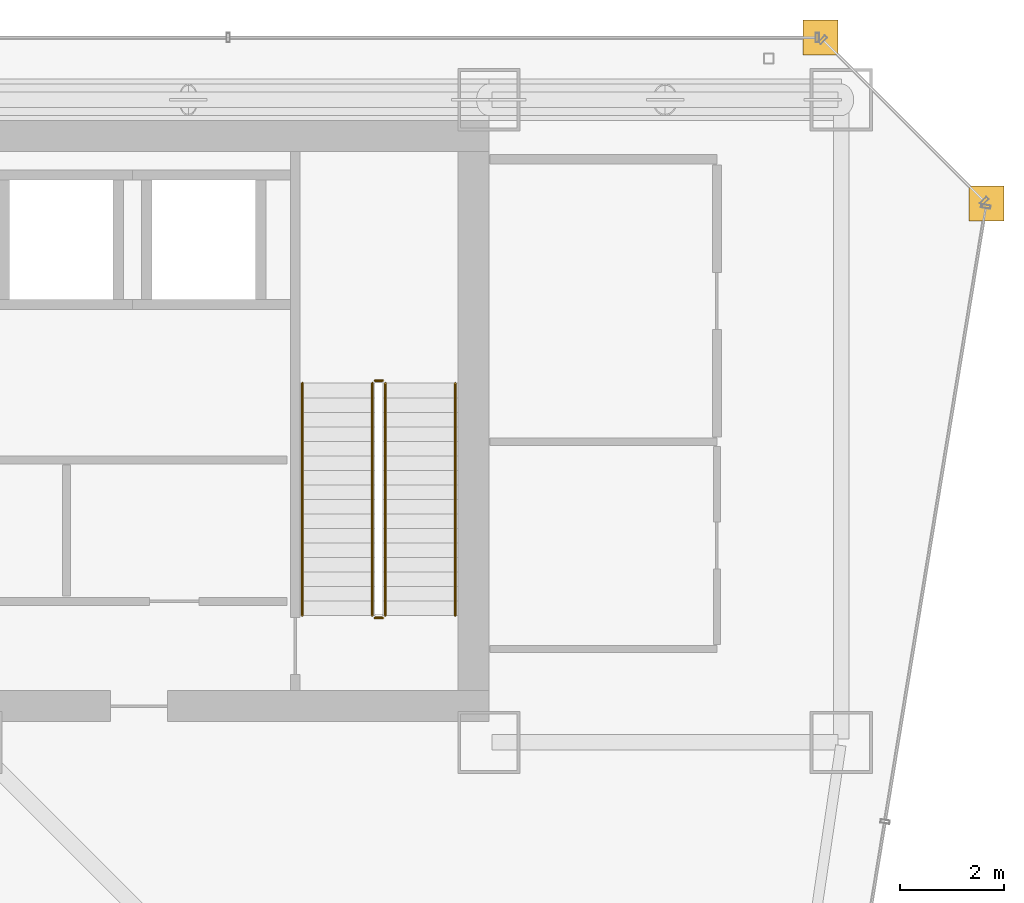
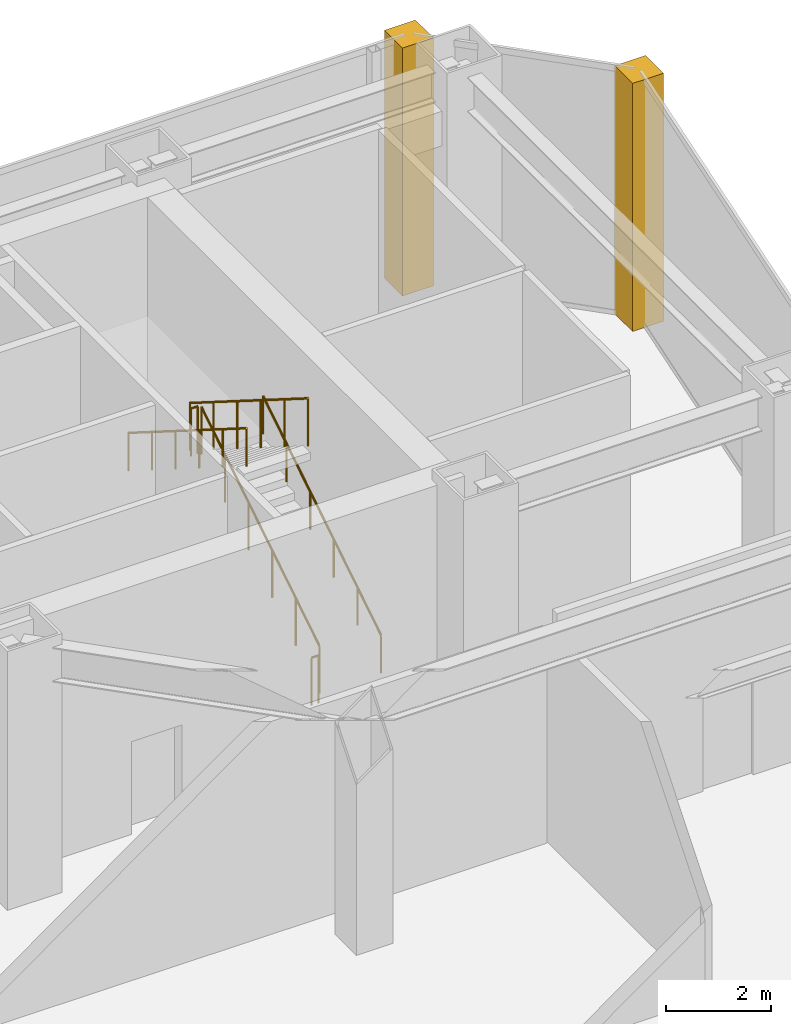
# One storey, part 35 of 35: 6 railings, 2 coverings.
"""IFC4 building model written with IfcOpenShell, lengths in metres."""

from ifc_helpers import new_model, si_unit, direction, frame, origin, origin_2d, place, context, subcontext, project, spatial, polyline, circle, outline, extrude, material, layer, layer_set, type_object, element, save


model = new_model("IFC4")

# Units and contexts
model_context = context("Model", 3, precision=1e-05, world=origin(), true_north=direction((0.0, 1.0)))
body_context = subcontext(model_context, "Body", "Model", "MODEL_VIEW")
ifc_project = project(units=[si_unit("LENGTHUNIT", "METRE"), si_unit("AREAUNIT", "SQUARE_METRE"), si_unit("VOLUMEUNIT", "CUBIC_METRE"), si_unit("PLANEANGLEUNIT", "RADIAN"), si_unit("MASSUNIT", "GRAM", prefix="KILO")], contexts=[model_context])

# Site, building, storey
site_placement = place(None, origin())
site = spatial("IfcSite", under=ifc_project, at=site_placement, CompositionType="ELEMENT")
building_placement = place(site_placement, origin())
building = spatial("IfcBuilding", under=site, at=building_placement, Name="Saevonmaru Cultural Tower", CompositionType="ELEMENT")
storey_placement = place(building_placement, frame((0.0, 0.0, 86.800048828125)))
storey = spatial("IfcBuildingStorey", under=building, at=storey_placement, Name="L18", CompositionType="ELEMENT", Elevation=86.800048828125)

# Coverings
ifc_material_1 = material(Name="Satin Bronze Anodised Aluminium", Category="aluminium")
ifc_layer = layer(ifc_material_1, 0.679931640625, Name="Satin Bronze Anodised Aluminium")
ifc_layer_set = layer_set([ifc_layer], Name="Satin Bronze Anodised Aluminium")
covering_type = type_object("IfcCoveringType", Name="CV-CORNER-CLAD", PredefinedType="CLADDING", material=ifc_layer_set)
covering_1_placement = place(storey_placement, origin())
element("IfcCovering", 1, at=covering_1_placement, inside=storey, type_object=covering_type, Name="L18 Tower Bronze Corner Cladding Pier 9", PredefinedType="CLADDING", context=body_context, shape_type="SweptSolid", body=[
    extrude(outline(polyline([(55.659912109375, 52.4599609375), (56.340087890625, 52.4599609375), (56.340087890625, 53.139892578125), (55.659912109375, 53.139892578125), (55.659912109375, 52.4599609375)])), origin(), (0.0, 0.0, 1.0), 5.75),
])
covering_2_placement = place(storey_placement, origin())
element("IfcCovering", 2, at=covering_2_placement, inside=storey, type_object=covering_type, Name="L18 Tower Bronze Corner Cladding Pier 10", PredefinedType="CLADDING", context=body_context, shape_type="SweptSolid", body=[
    extrude(outline(polyline([(52.4599609375, 55.659912109375), (53.139892578125, 55.659912109375), (53.139892578125, 56.340087890625), (52.4599609375, 56.340087890625), (52.4599609375, 55.659912109375)])), origin(), (0.0, 0.0, 1.0), 5.75),
])

# Railings
ifc_material_2 = material(Name="Architectural Painted Steel", Category="steel")
railing_type_1 = type_object("IfcRailingType", Name="RL-STAIR-GUARD", PredefinedType="GUARDRAIL", material=ifc_material_2)
railing_1_placement = place(storey_placement, frame((44.39990234375, 44.85009765625, 0.176513671875)))
element("IfcRailing", 3, at=railing_1_placement, inside=storey, type_object=railing_type_1, Name="L18 ST-2 stair guard 1", PredefinedType="GUARDRAIL", context=body_context, shape_type="SweptSolid", body=[
    extrude(circle(Radius=0.02392578125, at=origin_2d()), frame((0.0, 0.0, 1.09619140625), z_axis=(0.0, 0.845997938375, 0.533186166611), x_axis=(-1.0, 0.0, 0.0)), (0.0, 0.0, 1.0), 5.29541015625),
    extrude(circle(Radius=0.02099609375, at=origin_2d()), origin(), (0.0, 0.0, 1.0), 1.072021484375),
    extrude(circle(Radius=0.02099609375, at=origin_2d()), frame((0.0, 0.89599609375, 0.564697265625)), (0.0, 0.0, 1.0), 1.072021484375),
    extrude(circle(Radius=0.02099609375, at=origin_2d()), frame((0.0, 1.7919921875, 1.12939453125)), (0.0, 0.0, 1.0), 1.072021484375),
    extrude(circle(Radius=0.02099609375, at=origin_2d()), frame((0.0, 2.68798828125, 1.694091796875)), (0.0, 0.0, 1.0), 1.072021484375),
    extrude(circle(Radius=0.02099609375, at=origin_2d()), frame((0.0, 3.583984375, 2.2587890625)), (0.0, 0.0, 1.0), 1.072021484375),
    extrude(circle(Radius=0.02099609375, at=origin_2d()), frame((0.0, 4.47998046875, 2.823486328125)), (0.0, 0.0, 1.0), 1.072021484375),
])
railing_2_placement = place(storey_placement, frame((44.35009765625, 49.3798828125, 3.0)))
element("IfcRailing", 4, at=railing_2_placement, inside=storey, type_object=railing_type_1, Name="L18 ST-2 stair guard 2", PredefinedType="GUARDRAIL", context=body_context, shape_type="SweptSolid", body=[
    extrude(circle(Radius=0.02392578125, at=origin_2d()), frame((0.0, 0.0, 1.09619140625), z_axis=(-1.0, 0.0, 0.0), x_axis=(0.0, -1.0, 0.0)), (0.0, 0.0, 1.0), 0.150146484375),
    extrude(circle(Radius=0.02099609375, at=origin_2d()), origin(), (0.0, 0.0, 1.0), 1.072021484375),
    extrude(circle(Radius=0.02099609375, at=origin_2d()), frame((-0.150146484375, 0.0, 0.0)), (0.0, 0.0, 1.0), 1.072021484375),
])
railing_3_placement = place(storey_placement, frame((44.14990234375, 49.330078125, 3.176513671875)))
element("IfcRailing", 5, at=railing_3_placement, inside=storey, type_object=railing_type_1, Name="L18 ST-2 stair guard 3", PredefinedType="GUARDRAIL", context=body_context, shape_type="SweptSolid", body=[
    extrude(circle(Radius=0.02392578125, at=origin_2d()), frame((0.0, 0.0, 1.09619140625), z_axis=(0.0, -0.845997938375, 0.533186166611), x_axis=(1.0, 0.0, 0.0)), (0.0, 0.0, 1.0), 5.29541015625),
    extrude(circle(Radius=0.02099609375, at=origin_2d()), origin(), (0.0, 0.0, 1.0), 1.072021484375),
    extrude(circle(Radius=0.02099609375, at=origin_2d()), frame((0.0, -0.89599609375, 0.564697265625)), (0.0, 0.0, 1.0), 1.072021484375),
    extrude(circle(Radius=0.02099609375, at=origin_2d()), frame((0.0, -1.7919921875, 1.12939453125)), (0.0, 0.0, 1.0), 1.072021484375),
    extrude(circle(Radius=0.02099609375, at=origin_2d()), frame((0.0, -2.68798828125, 1.694091796875)), (0.0, 0.0, 1.0), 1.072021484375),
    extrude(circle(Radius=0.02099609375, at=origin_2d()), frame((0.0, -3.583984375, 2.2587890625)), (0.0, 0.0, 1.0), 1.072021484375),
    extrude(circle(Radius=0.02099609375, at=origin_2d()), frame((0.0, -4.47998046875, 2.823486328125)), (0.0, 0.0, 1.0), 1.072021484375),
])
railing_4_placement = place(storey_placement, frame((44.35009765625, 44.800048828125, 0.0)))
element("IfcRailing", 6, at=railing_4_placement, inside=storey, type_object=railing_type_1, Name="L18 ST-2 stair guard 4", PredefinedType="GUARDRAIL", context=body_context, shape_type="SweptSolid", body=[
    extrude(circle(Radius=0.02392578125, at=origin_2d()), frame((0.0, 0.0, 1.09619140625), z_axis=(-1.0, 0.0, 0.0), x_axis=(0.0, -1.0, 0.0)), (0.0, 0.0, 1.0), 0.150146484375),
    extrude(circle(Radius=0.02099609375, at=origin_2d()), origin(), (0.0, 0.0, 1.0), 1.072021484375),
    extrude(circle(Radius=0.02099609375, at=origin_2d()), frame((-0.150146484375, 0.0, 0.0)), (0.0, 0.0, 1.0), 1.072021484375),
])
railing_type_2 = type_object("IfcRailingType", Name="RL-STAIR-HANDRAIL", PredefinedType="HANDRAIL", material=ifc_material_1)
railing_5_placement = place(storey_placement, frame((45.75, 44.85009765625, 0.176513671875)))
element("IfcRailing", 7, at=railing_5_placement, inside=storey, type_object=railing_type_2, Name="L18 ST-2 stair handrail 1", PredefinedType="HANDRAIL", context=body_context, shape_type="SweptSolid", body=[
    extrude(circle(Radius=0.02392578125, at=origin_2d()), frame((0.0, 0.0, 0.8759765625), z_axis=(0.0, 0.845997938375, 0.533186166611), x_axis=(-1.0, 0.0, 0.0)), (0.0, 0.0, 1.0), 5.29541015625),
    extrude(circle(Radius=0.02099609375, at=origin_2d()), origin(), (0.0, 0.0, 1.0), 0.851806640625),
    extrude(circle(Radius=0.02099609375, at=origin_2d()), frame((0.0, 0.89599609375, 0.564697265625)), (0.0, 0.0, 1.0), 0.851806640625),
    extrude(circle(Radius=0.02099609375, at=origin_2d()), frame((0.0, 1.7919921875, 1.12939453125)), (0.0, 0.0, 1.0), 0.851806640625),
    extrude(circle(Radius=0.02099609375, at=origin_2d()), frame((0.0, 2.68798828125, 1.694091796875)), (0.0, 0.0, 1.0), 0.851806640625),
    extrude(circle(Radius=0.02099609375, at=origin_2d()), frame((0.0, 3.583984375, 2.2587890625)), (0.0, 0.0, 1.0), 0.851806640625),
    extrude(circle(Radius=0.02099609375, at=origin_2d()), frame((0.0, 4.47998046875, 2.823486328125)), (0.0, 0.0, 1.0), 0.851806640625),
])
railing_6_placement = place(storey_placement, frame((42.800048828125, 49.330078125, 3.176513671875)))
element("IfcRailing", 8, at=railing_6_placement, inside=storey, type_object=railing_type_2, Name="L18 ST-2 stair handrail 2", PredefinedType="HANDRAIL", context=body_context, shape_type="SweptSolid", body=[
    extrude(circle(Radius=0.02392578125, at=origin_2d()), frame((0.0, 0.0, 0.8759765625), z_axis=(0.0, -0.845997938375, 0.533186166611), x_axis=(1.0, 0.0, 0.0)), (0.0, 0.0, 1.0), 5.29541015625),
    extrude(circle(Radius=0.02099609375, at=origin_2d()), origin(), (0.0, 0.0, 1.0), 0.851806640625),
    extrude(circle(Radius=0.02099609375, at=origin_2d()), frame((0.0, -0.89599609375, 0.564697265625)), (0.0, 0.0, 1.0), 0.851806640625),
    extrude(circle(Radius=0.02099609375, at=origin_2d()), frame((0.0, -1.7919921875, 1.12939453125)), (0.0, 0.0, 1.0), 0.851806640625),
    extrude(circle(Radius=0.02099609375, at=origin_2d()), frame((0.0, -2.68798828125, 1.694091796875)), (0.0, 0.0, 1.0), 0.851806640625),
    extrude(circle(Radius=0.02099609375, at=origin_2d()), frame((0.0, -3.583984375, 2.2587890625)), (0.0, 0.0, 1.0), 0.851806640625),
    extrude(circle(Radius=0.02099609375, at=origin_2d()), frame((0.0, -4.47998046875, 2.823486328125)), (0.0, 0.0, 1.0), 0.851806640625),
])

save(model, "model.ifc")
